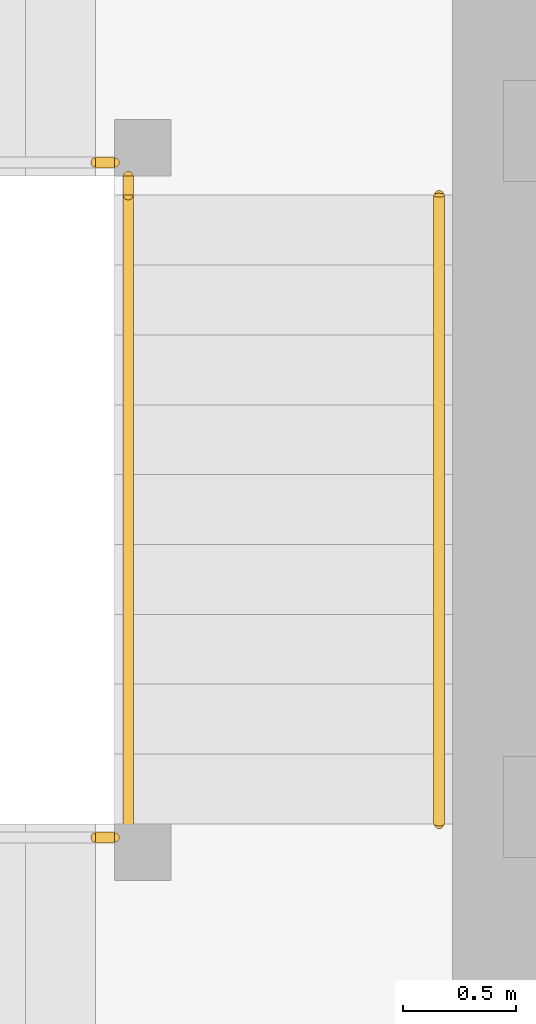
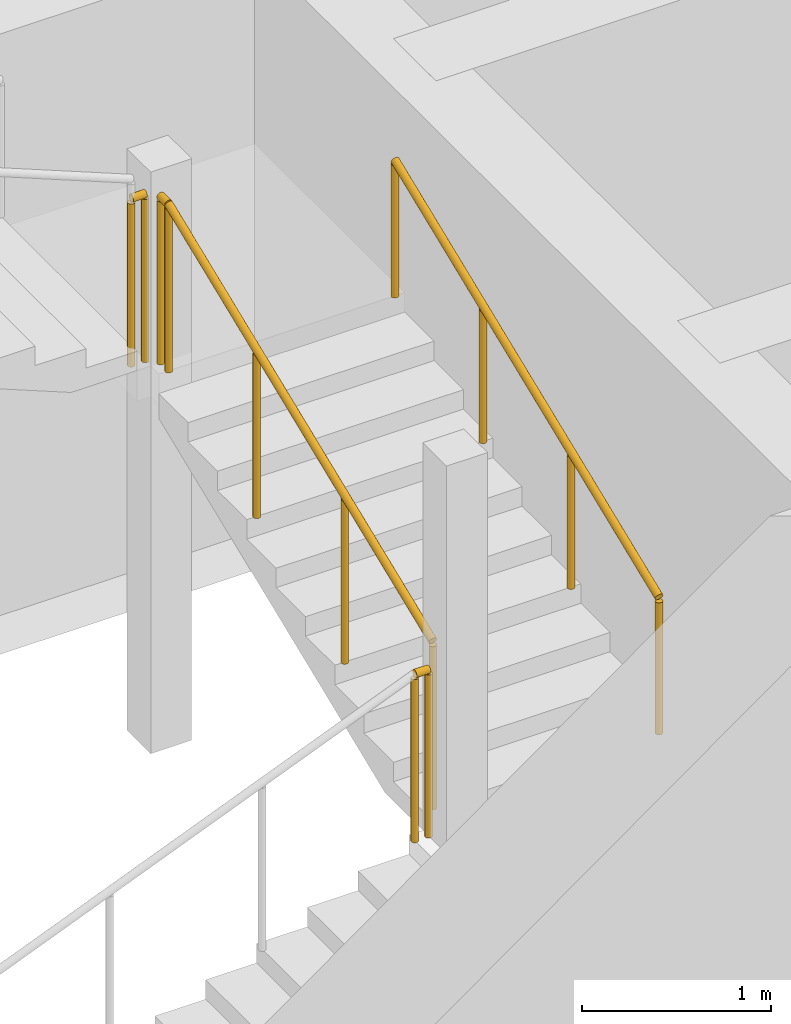
# One storey, part 34 of 38: 5 railings.
"""IFC4 building model written with IfcOpenShell, lengths in metres."""

from ifc_helpers import new_model, si_unit, direction, frame, origin, origin_2d, place, context, subcontext, project, spatial, circle, extrude, material, type_object, element, save


model = new_model("IFC4")

# Units and contexts
model_context = context("Model", 3, precision=1e-05, world=origin(), true_north=direction((0.0, 1.0)))
body_context = subcontext(model_context, "Body", "Model", "MODEL_VIEW")
ifc_project = project(units=[si_unit("LENGTHUNIT", "METRE"), si_unit("AREAUNIT", "SQUARE_METRE"), si_unit("VOLUMEUNIT", "CUBIC_METRE"), si_unit("PLANEANGLEUNIT", "RADIAN"), si_unit("MASSUNIT", "GRAM", prefix="KILO")], contexts=[model_context])

# Site, building, storey
site_placement = place(None, origin())
site = spatial("IfcSite", under=ifc_project, at=site_placement, CompositionType="ELEMENT")
building_placement = place(site_placement, origin())
building = spatial("IfcBuilding", under=site, at=building_placement, Name="Rekha Terrace Tower", CompositionType="ELEMENT")
storey_placement = place(building_placement, frame((0.0, 0.0, 195.199951171875)))
storey = spatial("IfcBuildingStorey", under=building, at=storey_placement, Name="L49", CompositionType="ELEMENT", Elevation=195.199951171875)

# Railings
ifc_material_1 = material(Name="Stainless steel balustrade", Category="steel")
railing_type_1 = type_object("IfcRailingType", Name="GR1 1100 stair guard", PredefinedType="GUARDRAIL", material=ifc_material_1)
railing_1_placement = place(storey_placement, frame((30.135009765625, 41.324951171875, 1.375)))
element("IfcRailing", 1, at=railing_1_placement, inside=storey, type_object=railing_type_1, Name="Guard ST4 L49 flight 2", PredefinedType="GUARDRAIL", context=body_context, shape_type="SweptSolid", body=[
    extrude(circle(Radius=0.02392578125, at=origin_2d()), frame((0.0, 0.0, 1.076171875), z_axis=(0.0, 0.927443287984, 0.373963831907), x_axis=(-1.0, 0.0, 0.0)), (0.0, 0.0, 1.0), 3.00830078125),
    extrude(circle(Radius=0.02099609375, at=origin_2d()), origin(), (0.0, 0.0, 1.0), 1.052001953125),
    extrude(circle(Radius=0.02099609375, at=origin_2d()), frame((0.0, 0.929931640625, 0.375)), (0.0, 0.0, 1.0), 1.052001953125),
    extrude(circle(Radius=0.02099609375, at=origin_2d()), frame((0.0, 1.860107421875, 0.75)), (0.0, 0.0, 1.0), 1.052001953125),
    extrude(circle(Radius=0.02099609375, at=origin_2d()), frame((0.0, 2.7900390625, 1.125)), (0.0, 0.0, 1.0), 1.052001953125),
])
railing_2_placement = place(storey_placement, frame((29.989990234375, 41.264892578125, 1.25)))
element("IfcRailing", 2, at=railing_2_placement, inside=storey, type_object=railing_type_1, Name="Guard ST4 L49 landing 1", PredefinedType="GUARDRAIL", context=body_context, shape_type="SweptSolid", body=[
    extrude(circle(Radius=0.02392578125, at=origin_2d()), frame((0.0, 0.0, 1.076171875), z_axis=(1.0, 0.0, 0.0), x_axis=(0.0, 1.0, 0.0)), (0.0, 0.0, 1.0), 0.0849609375),
    extrude(circle(Radius=0.02099609375, at=origin_2d()), origin(), (0.0, 0.0, 1.0), 1.052001953125),
    extrude(circle(Radius=0.02099609375, at=origin_2d()), frame((0.0849609375, 0.0, 0.0)), (0.0, 0.0, 1.0), 1.052001953125),
])
railing_3_placement = place(storey_placement, frame((30.135009765625, 44.114990234375, 2.5)))
element("IfcRailing", 3, at=railing_3_placement, inside=storey, type_object=railing_type_1, Name="Guard ST4 L49 landing 2", PredefinedType="GUARDRAIL", context=body_context, shape_type="SweptSolid", body=[
    extrude(circle(Radius=0.02392578125, at=origin_2d()), frame((0.0, 0.0, 1.076171875), z_axis=(0.0, 1.0, 0.0), x_axis=(-1.0, 0.0, 0.0)), (0.0, 0.0, 1.0), 0.0849609375),
    extrude(circle(Radius=0.02099609375, at=origin_2d()), origin(), (0.0, 0.0, 1.0), 1.052001953125),
    extrude(circle(Radius=0.02099609375, at=origin_2d()), frame((0.0, 0.0849609375, 0.0)), (0.0, 0.0, 1.0), 1.052001953125),
])
railing_4_placement = place(storey_placement, frame((29.989990234375, 44.260009765625, 2.5)))
element("IfcRailing", 4, at=railing_4_placement, inside=storey, type_object=railing_type_1, Name="Guard ST4 L49 landing 3", PredefinedType="GUARDRAIL", context=body_context, shape_type="SweptSolid", body=[
    extrude(circle(Radius=0.02392578125, at=origin_2d()), frame((0.0, 0.0, 1.076171875), z_axis=(1.0, 0.0, 0.0), x_axis=(0.0, 1.0, 0.0)), (0.0, 0.0, 1.0), 0.0849609375),
    extrude(circle(Radius=0.02099609375, at=origin_2d()), origin(), (0.0, 0.0, 1.0), 1.052001953125),
    extrude(circle(Radius=0.02099609375, at=origin_2d()), frame((0.0849609375, 0.0, 0.0)), (0.0, 0.0, 1.0), 1.052001953125),
])
ifc_material_2 = material(Name="Stainless steel tube", Category="steel")
railing_type_2 = type_object("IfcRailingType", Name="HR1 900 stair handrail", PredefinedType="HANDRAIL", material=ifc_material_2)
railing_5_placement = place(storey_placement, frame((31.514892578125, 41.324951171875, 1.375)))
element("IfcRailing", 5, at=railing_5_placement, inside=storey, type_object=railing_type_2, Name="Handrail ST4 L49 flight 2", PredefinedType="HANDRAIL", context=body_context, shape_type="SweptSolid", body=[
    extrude(circle(Radius=0.02392578125, at=origin_2d()), frame((0.0, 0.0, 0.8759765625), z_axis=(0.0, 0.927443287984, 0.373963831907), x_axis=(-1.0, 0.0, 0.0)), (0.0, 0.0, 1.0), 3.00830078125),
    extrude(circle(Radius=0.02099609375, at=origin_2d()), origin(), (0.0, 0.0, 1.0), 0.851806640625),
    extrude(circle(Radius=0.02099609375, at=origin_2d()), frame((0.0, 0.929931640625, 0.375)), (0.0, 0.0, 1.0), 0.851806640625),
    extrude(circle(Radius=0.02099609375, at=origin_2d()), frame((0.0, 1.860107421875, 0.75)), (0.0, 0.0, 1.0), 0.851806640625),
    extrude(circle(Radius=0.02099609375, at=origin_2d()), frame((0.0, 2.7900390625, 1.125)), (0.0, 0.0, 1.0), 0.851806640625),
])

save(model, "model.ifc")
